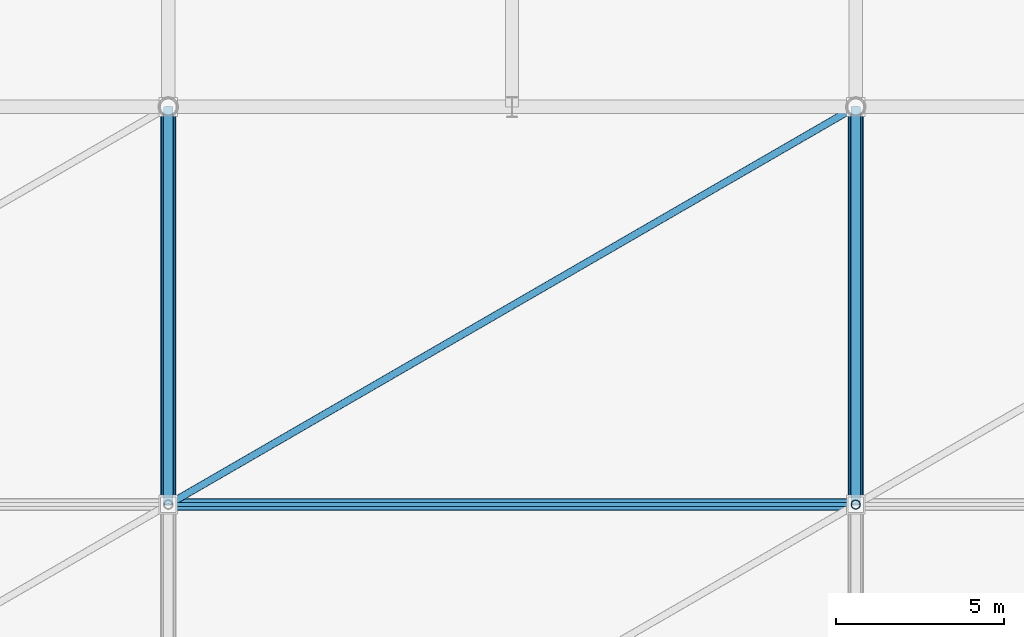
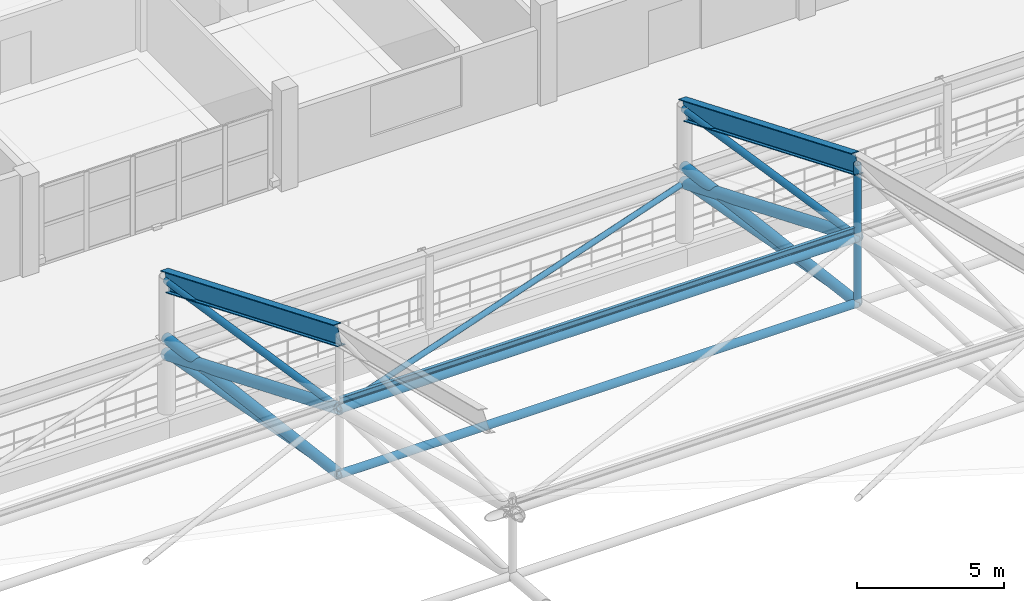
# One storey, part 30 of 135: 14 members, 2 beams.
"""IFC4 building model written with IfcOpenShell, lengths in metres."""

import ifcopenshell
import ifcopenshell.guid

model = None  # the IFC model being written
_history = None  # IfcOwnerHistory: only IFC2X3 demands one
_inside = {}  # id of a spatial element -> (the spatial element, [elements in it])
_under = {}  # id of a project, library or spatial element -> (it, [spatial elements below it])
_declared = {}  # id of a project -> (the project, [libraries it declares])
_typed = {}  # id of a type object -> (the type object, [elements of that type])
_made_of = {}  # id of a material, layer set ... -> (it, [elements and type objects made of it])


def new_model(schema):
    """Start an empty IFC model of exactly this schema.

    Asked for "IFC4X3", IfcOpenShell would pick the latest addendum, in which some entities
    have other attributes; the version numbers below select the first issue.
    IFC2X3 requires an IfcOwnerHistory on every rooted entity: one is made here for all.
    """
    global model, _history
    if schema == "IFC4X3":
        model = ifcopenshell.file(schema_version=(4, 3, 0, 0))
    else:
        model = ifcopenshell.file(schema=schema)
    _inside.clear()
    _under.clear()
    _declared.clear()
    _typed.clear()
    _made_of.clear()
    _history = None
    if model.schema == "IFC2X3":
        org = make("IfcOrganization", Name="unknown")
        user = make(
            "IfcPersonAndOrganization",
            ThePerson=make("IfcPerson", FamilyName="unknown"),
            TheOrganization=org,
        )
        app = make(
            "IfcApplication",
            ApplicationDeveloper=org,
            Version="unknown",
            ApplicationFullName="unknown",
            ApplicationIdentifier="unknown",
        )
        _history = make(
            "IfcOwnerHistory",
            OwningUser=user,
            OwningApplication=app,
            ChangeAction="ADDED",
            CreationDate=0,
        )
    return model


def make(cls, **values):
    """One entity of the class cls with the attributes given. An attribute that is None is left unset."""
    return model.create_entity(
        cls, **{name: value for name, value in values.items() if value is not None}
    )


def rooted(cls, **values):
    """An entity with a GlobalId (a new one), such as an element, a storey or a relation."""
    return make(cls, GlobalId=ifcopenshell.guid.new(), OwnerHistory=_history, **values)


def si_unit(unit_type, name, prefix=None):
    """IfcSIUnit, for example si_unit("LENGTHUNIT", "METRE", prefix="MILLI")."""
    return make("IfcSIUnit", UnitType=unit_type, Prefix=prefix, Name=name)


def assignment(units):
    """IfcUnitAssignment: the units of a project."""
    return None if units is None else make("IfcUnitAssignment", Units=units)


def point(xyz):
    """IfcCartesianPoint."""
    return None if xyz is None else make("IfcCartesianPoint", Coordinates=xyz)


def direction(xyz):
    """IfcDirection."""
    return None if xyz is None else make("IfcDirection", DirectionRatios=xyz)


def frame(location, z_axis=None, x_axis=None):
    """IfcAxis2Placement3D, a coordinate frame: its origin and axes. An axis left out is left unset."""
    return make(
        "IfcAxis2Placement3D",
        Location=point(location),
        Axis=direction(z_axis),
        RefDirection=direction(x_axis),
    )


def frame_2d(location, x_axis=None):
    """IfcAxis2Placement2D, a coordinate frame in the plane: its origin and x axis."""
    return make(
        "IfcAxis2Placement2D", Location=point(location), RefDirection=direction(x_axis)
    )


def origin():
    """The frame at (0, 0, 0) with its axes left unset."""
    return frame((0.0, 0.0, 0.0))


def origin_2d():
    """The frame at (0, 0) in the plane with its x axis left unset."""
    return frame_2d((0.0, 0.0))


def place(relative_to, where):
    """IfcLocalPlacement: puts the frame where relative to a parent placement (None: the world)."""
    return make(
        "IfcLocalPlacement", PlacementRelTo=relative_to, RelativePlacement=where
    )


def context(
    kind, dimensions, precision=None, world=None, true_north=None, identifier=None
):
    """IfcGeometricRepresentationContext, for example the 3D "Model" context."""
    return make(
        "IfcGeometricRepresentationContext",
        ContextIdentifier=identifier,
        ContextType=kind,
        CoordinateSpaceDimension=dimensions,
        Precision=precision,
        WorldCoordinateSystem=world,
        TrueNorth=true_north,
    )


def subcontext(parent, identifier, kind, view, scale=None):
    """IfcGeometricRepresentationSubContext, for example "Body" below "Model"."""
    return make(
        "IfcGeometricRepresentationSubContext",
        ContextIdentifier=identifier,
        ContextType=kind,
        ParentContext=parent,
        TargetScale=scale,
        TargetView=view,
    )


def project(units=None, contexts=None):
    """IfcProject with its units and contexts."""
    return rooted(
        "IfcProject",
        Name="project",
        RepresentationContexts=contexts,
        UnitsInContext=assignment(units),
    )


def spatial(cls, under=None, at=None, **own):
    """A site, building, storey or space (cls), placed at a placement, below another one or the project."""
    s = rooted(cls, ObjectPlacement=at, **own)
    if under is not None:
        _under.setdefault(under.id(), (under, []))[1].append(s)
    return s


def profile(cls, at=None, kind="AREA", **sizes):
    """A parametric profile (cls). Its sizes go by their IFC names, for example OverallWidth=200.0."""
    return make(cls, ProfileType=kind, Position=at, **sizes)


def hollow_circle(**sizes):
    """IfcCircleHollowProfileDef."""
    return profile("IfcCircleHollowProfileDef", **sizes)


def i_section(**sizes):
    """IfcIShapeProfileDef."""
    return profile("IfcIShapeProfileDef", **sizes)


def extrude(swept, where, along, depth):
    """IfcExtrudedAreaSolid: the profile swept, set in the frame where, extruded along a direction by depth."""
    return make(
        "IfcExtrudedAreaSolid",
        SweptArea=swept,
        Position=where,
        ExtrudedDirection=direction(along),
        Depth=depth,
    )


def shape(context_of_items, identifier, shape_type, items):
    """IfcShapeRepresentation: the items that make up one representation, for example the "Body"."""
    return make(
        "IfcShapeRepresentation",
        ContextOfItems=context_of_items,
        RepresentationIdentifier=identifier,
        RepresentationType=shape_type,
        Items=items,
    )


def material(Name=None, Category=None):
    """IfcMaterial."""
    return make("IfcMaterial", Name=Name, Category=Category)


def material_profile(
    of_material, cross_section, Name=None, Category=None, Priority=None
):
    """IfcMaterialProfile: a cross section and its material."""
    return make(
        "IfcMaterialProfile",
        Name=Name,
        Material=of_material,
        Profile=cross_section,
        Priority=Priority,
        Category=Category,
    )


def profile_set(profiles, Name=None, composite=None):
    """IfcMaterialProfileSet."""
    return make(
        "IfcMaterialProfileSet",
        Name=Name,
        MaterialProfiles=profiles,
        CompositeProfile=composite,
    )


def made_of(thing, what):
    """Note that an element or type object is made of a material, layer set ...; save() writes the relation."""
    if what is not None:
        _made_of.setdefault(what.id(), (what, []))[1].append(thing)
    return thing


def type_object(cls, material=None, **own):
    """A type object (cls), such as IfcWallType, which elements share."""
    return made_of(rooted(cls, **own), material)


def element(
    cls,
    number,
    at=None,
    inside=None,
    cuts=None,
    type_object=None,
    material=None,
    context=None,
    identifier="Body",
    shape_type=None,
    held_by="IfcProductDefinitionShape",
    body=None,
    shapes=None,
    **own,
):
    """One element of the class cls, such as IfcWall. Its Tag is "e" and its number.

    at: its placement. inside: the storey or other place that contains it. cuts: it is an
    opening in that element (IfcRelVoidsElement). A single representation is given by context,
    identifier, shape_type and body (its items); several are given by shapes. held_by: the class
    of the entity that holds the representations. save() writes the other relations.
    """
    e = rooted(cls, Tag="e%d" % number, ObjectPlacement=at, **own)
    if body is not None:
        shapes = [shape(context, identifier, shape_type, body)]
    if shapes is not None:
        e.Representation = make(held_by, Representations=shapes)
    if inside is not None:
        _inside.setdefault(inside.id(), (inside, []))[1].append(e)
    if cuts is not None:
        rooted(
            "IfcRelVoidsElement", RelatingBuildingElement=cuts, RelatedOpeningElement=e
        )
    if type_object is not None:
        _typed.setdefault(type_object.id(), (type_object, []))[1].append(e)
    return made_of(e, material)


def aggregate(whole, parts):
    """IfcRelAggregates: a whole, such as a stair, and the parts it consists of."""
    return rooted("IfcRelAggregates", RelatingObject=whole, RelatedObjects=parts)


def save(model, path):
    """Write the relations noted so far, then the file.

    IfcRelAggregates (storeys below a building ...), IfcRelContainedInSpatialStructure (elements
    in a storey), IfcRelDefinesByType, IfcRelAssociatesMaterial and IfcRelDeclares: one each for
    every whole, place, type object, material and project.
    """
    for whole, parts in _under.values():
        aggregate(whole, parts)
    for where, things in _inside.values():
        rooted(
            "IfcRelContainedInSpatialStructure",
            RelatedElements=things,
            RelatingStructure=where,
        )
    for kind, things in _typed.values():
        rooted("IfcRelDefinesByType", RelatedObjects=things, RelatingType=kind)
    for what, things in _made_of.values():
        rooted("IfcRelAssociatesMaterial", RelatedObjects=things, RelatingMaterial=what)
    for by, libraries in _declared.values():
        rooted("IfcRelDeclares", RelatingContext=by, RelatedDefinitions=libraries)
    model.write(path)


model = new_model("IFC4")

# Units and contexts
model_context = context("Model", 3, precision=1e-05, world=origin(), true_north=direction((0.0, 1.0)))
body_context = subcontext(model_context, "Body", "Model", "MODEL_VIEW")
ifc_project = project(units=[si_unit("LENGTHUNIT", "METRE"), si_unit("AREAUNIT", "SQUARE_METRE"), si_unit("VOLUMEUNIT", "CUBIC_METRE"), si_unit("PLANEANGLEUNIT", "RADIAN"), si_unit("MASSUNIT", "GRAM", prefix="KILO")], contexts=[model_context])

# Site, building, storey
site_placement = place(None, origin())
site = spatial("IfcSite", under=ifc_project, at=site_placement, CompositionType="ELEMENT")
building_placement = place(site_placement, origin())
building = spatial("IfcBuilding", under=site, at=building_placement, Name="Brelvane Convention Centre", CompositionType="ELEMENT")
storey_placement = place(building_placement, frame((0.0, 0.0, 15.0)))
storey = spatial("IfcBuildingStorey", under=building, at=storey_placement, Name="L03", CompositionType="ELEMENT", Elevation=15.0)

# Beams
ifc_material_1 = material(Name="Steel E450 (450 MPa)", Category="steel")
ifc_material_profile_1 = material_profile(ifc_material_1, i_section(OverallWidth=0.300048828125, OverallDepth=0.800048828125, WebThickness=0.015380859375, FlangeThickness=0.030029296875, FilletRadius=0.027099609375, at=origin_2d()), Name="NPB 800x300")
ifc_profile_set_1 = profile_set([ifc_material_profile_1], Name="Steel E450 (450 MPa)")
beam_type = type_object("IfcBeamType", Name="Steel Beam B-ST2 (NPB 800x300)", PredefinedType="BEAM", material=ifc_profile_set_1)
for number, where, z_axis, x_axis, name in (
    (1, (40.800048828125, 87.800048828125, 10.288818359375), (0.0, 0.923846983903, -0.382762002207), (-1.0, 0.0, 0.0), "EXO_EXH Exoskeletal Arch Girder 3.6"),
    (2, (61.199951171875, 87.800048828125, 10.288818359375), (0.0, 0.923846983903, -0.382762002207), (-1.0, 0.0, 0.0), "EXO_EXH Exoskeletal Arch Girder 4.6"),
):
    element("IfcBeam", number, at=place(storey_placement, frame(where, z_axis=z_axis, x_axis=x_axis)), inside=storey, type_object=beam_type, Name=name, PredefinedType="BEAM", context=body_context, shape_type="SweptSolid", body=[
        extrude(i_section(OverallWidth=0.300048828125, OverallDepth=0.800048828125, WebThickness=0.015380859375, FlangeThickness=0.030029296875, FilletRadius=0.027099609375, at=origin_2d()), origin(), (0.0, 0.0, 1.0), 12.772705078125),
    ])

# Members
ifc_material_2 = material(Name="Steel E350 (350 MPa)", Category="steel")
ifc_material_profile_2 = material_profile(ifc_material_2, hollow_circle(Radius=0.136474609375, WallThickness=0.012451171875, at=origin_2d()), Name="CHS 273.0x12.5")
ifc_profile_set_2 = profile_set([ifc_material_profile_2], Name="Steel E350 (350 MPa)")
member_type_1 = type_object("IfcMemberType", Name="Steel Brace SF-DG1 (CHS 273.0x12.5)", PredefinedType="BRACE", material=ifc_profile_set_2)
for number, where, z_axis, x_axis, name in (
    (3, (40.800048828125, 87.800048828125, 4.489013671875), (0.0, 0.983819064294, -0.179164864666), (-1.0, 0.0, 0.0), "SF_EXH Space-Frame Web Diagonal D3.6"),
    (4, (61.199951171875, 87.800048828125, 4.489013671875), (0.0, 0.983819064294, -0.179164864666), (-1.0, 0.0, 0.0), "SF_EXH Space-Frame Web Diagonal D4.6"),
):
    element("IfcMember", number, at=place(storey_placement, frame(where, z_axis=z_axis, x_axis=x_axis)), inside=storey, type_object=member_type_1, Name=name, PredefinedType="BRACE", context=body_context, shape_type="SweptSolid", body=[
        extrude(hollow_circle(Radius=0.136474609375, WallThickness=0.012451171875, at=origin_2d()), origin(), (0.0, 0.0, 1.0), 11.994140625),
    ])
for number, where, z_axis, x_axis, name in (
    (5, (40.800048828125, 87.800048828125, 7.22900390625), (0.0, 0.988198514394, -0.153178641298), (-1.0, 0.0, 0.0), "EXO_EXH Exoskeletal Arch Web 3.6"),
    (6, (61.199951171875, 87.800048828125, 7.22900390625), (0.0, 0.988198514394, -0.153178641298), (-1.0, 0.0, 0.0), "EXO_EXH Exoskeletal Arch Web 4.6"),
):
    element("IfcMember", number, at=place(storey_placement, frame(where, z_axis=z_axis, x_axis=x_axis)), inside=storey, type_object=member_type_1, Name=name, PredefinedType="BRACE", context=body_context, shape_type="SweptSolid", body=[
        extrude(hollow_circle(Radius=0.136474609375, WallThickness=0.012451171875, at=origin_2d()), origin(), (0.0, 0.0, 1.0), 11.94091796875),
    ])
ifc_material_3 = material(Name="Steel E350 (350 MPa)", Category="steel")
ifc_material_profile_3 = material_profile(ifc_material_3, hollow_circle(Radius=0.109619140625, WallThickness=0.010009765625, at=origin_2d()), Name="CHS 219.1x10.0")
ifc_profile_set_3 = profile_set([ifc_material_profile_3], Name="Steel E350 (350 MPa)")
member_type_2 = type_object("IfcMemberType", Name="Steel Brace SF-DG2 (CHS 219.1x10.0)", PredefinedType="BRACE", material=ifc_profile_set_3)
member_1_placement = place(storey_placement, frame((40.800048828125, 87.800048828125, 7.22900390625), z_axis=(0.847572434082, 0.490266862018, -0.203124033516), x_axis=(-0.500705052683, 0.865617958581, 0.0)))
element("IfcMember", 7, at=member_1_placement, inside=storey, type_object=member_type_2, Name="SF_EXH Roof Diaphragm Brace PB3.6", PredefinedType="BRACE", context=body_context, shape_type="SweptSolid", body=[
    extrude(hollow_circle(Radius=0.109619140625, WallThickness=0.010009765625, at=origin_2d()), origin(), (0.0, 0.0, 1.0), 24.068603515625),
])
ifc_material_4 = material(Name="Steel E450 (450 MPa)", Category="steel")
ifc_material_profile_4 = material_profile(ifc_material_4, hollow_circle(Radius=0.203125, WallThickness=0.01611328125, at=origin_2d()), Name="CHS 406.4x16.0")
ifc_profile_set_4 = profile_set([ifc_material_profile_4], Name="Steel E450 (450 MPa)")
member_type_3 = type_object("IfcMemberType", Name="Steel Chord SF-BC1 (CHS 406.4x16.0)", PredefinedType="CHORD", material=ifc_profile_set_4)
for number, where, z_axis, x_axis, name in (
    (8, (40.800048828125, 87.800048828125, 4.489013671875), (0.0, 0.992132246813, -0.125194268374), (-1.0, 0.0, 0.0), "SF_EXH Space-Frame Bottom Chord B3.6"),
    (9, (61.199951171875, 87.800048828125, 4.489013671875), (0.0, 0.992132246813, -0.125194268374), (-1.0, 0.0, 0.0), "SF_EXH Space-Frame Bottom Chord B4.6"),
):
    element("IfcMember", number, at=place(storey_placement, frame(where, z_axis=z_axis, x_axis=x_axis)), inside=storey, type_object=member_type_3, Name=name, PredefinedType="CHORD", context=body_context, shape_type="SweptSolid", body=[
        extrude(hollow_circle(Radius=0.203125, WallThickness=0.01611328125, at=origin_2d()), origin(), (0.0, 0.0, 1.0), 11.8935546875),
    ])
ifc_material_5 = material(Name="Steel E350 (350 MPa)", Category="steel")
ifc_material_profile_5 = material_profile(ifc_material_5, hollow_circle(Radius=0.161865234375, WallThickness=0.012451171875, at=origin_2d()), Name="CHS 323.9x12.5")
ifc_profile_set_5 = profile_set([ifc_material_profile_5], Name="Steel E350 (350 MPa)")
member_type_4 = type_object("IfcMemberType", Name="Steel Chord SF-BC2 (CHS 323.9x12.5)", PredefinedType="CHORD", material=ifc_profile_set_5)
member_2_placement = place(storey_placement, frame((40.800048828125, 87.800048828125, 4.489013671875), z_axis=(1.0, 0.0, 0.0), x_axis=(0.0, 1.0, 0.0)))
element("IfcMember", 10, at=member_2_placement, inside=storey, type_object=member_type_4, Name="SF_EXH Longitudinal Bottom Chord LB3.6", PredefinedType="CHORD", context=body_context, shape_type="SweptSolid", body=[
    extrude(hollow_circle(Radius=0.161865234375, WallThickness=0.012451171875, at=origin_2d()), origin(), (0.0, 0.0, 1.0), 20.39990234375),
])
ifc_material_6 = material(Name="Steel E450 (450 MPa)", Category="steel")
ifc_material_profile_6 = material_profile(ifc_material_6, hollow_circle(Radius=0.228515625, WallThickness=0.02001953125, at=origin_2d()), Name="CHS 457.0x20.0")
ifc_profile_set_6 = profile_set([ifc_material_profile_6], Name="Steel E450 (450 MPa)")
member_type_5 = type_object("IfcMemberType", Name="Steel Chord SF-TC1 (CHS 457.0x20.0)", PredefinedType="CHORD", material=ifc_profile_set_6)
for number, where, z_axis, x_axis, name in (
    (11, (40.800048828125, 87.800048828125, 7.22900390625), (0.0, 0.923846983903, -0.382762002207), (-1.0, 0.0, 0.0), "SF_EXH Space-Frame Top Chord T3.6"),
    (12, (61.199951171875, 87.800048828125, 7.22900390625), (0.0, 0.923846983903, -0.382762002207), (-1.0, 0.0, 0.0), "SF_EXH Space-Frame Top Chord T4.6"),
):
    element("IfcMember", number, at=place(storey_placement, frame(where, z_axis=z_axis, x_axis=x_axis)), inside=storey, type_object=member_type_5, Name=name, PredefinedType="CHORD", context=body_context, shape_type="SweptSolid", body=[
        extrude(hollow_circle(Radius=0.228515625, WallThickness=0.02001953125, at=origin_2d()), origin(), (0.0, 0.0, 1.0), 12.772705078125),
    ])
ifc_material_7 = material(Name="Steel E450 (450 MPa)", Category="steel")
ifc_material_profile_7 = material_profile(ifc_material_7, hollow_circle(Radius=0.177734375, WallThickness=0.01611328125, at=origin_2d()), Name="CHS 355.6x16.0")
ifc_profile_set_7 = profile_set([ifc_material_profile_7], Name="Steel E450 (450 MPa)")
member_type_6 = type_object("IfcMemberType", Name="Steel Chord SF-TC2 (CHS 355.6x16.0)", PredefinedType="CHORD", material=ifc_profile_set_7)
member_3_placement = place(storey_placement, frame((40.800048828125, 87.800048828125, 7.22900390625), z_axis=(1.0, 0.0, 0.0), x_axis=(0.0, 1.0, 0.0)))
element("IfcMember", 13, at=member_3_placement, inside=storey, type_object=member_type_6, Name="SF_EXH Longitudinal Top Chord LT3.6", PredefinedType="CHORD", context=body_context, shape_type="SweptSolid", body=[
    extrude(hollow_circle(Radius=0.177734375, WallThickness=0.01611328125, at=origin_2d()), origin(), (0.0, 0.0, 1.0), 20.39990234375),
])
ifc_material_8 = material(Name="Steel E350 (350 MPa)", Category="steel")
ifc_material_profile_8 = material_profile(ifc_material_8, i_section(OverallWidth=0.125, OverallDepth=0.25, WebThickness=0.0068359375, FlangeThickness=0.012451171875, FilletRadius=0.012939453125, at=origin_2d()), Name="ISMB 250")
ifc_profile_set_8 = profile_set([ifc_material_profile_8], Name="Steel E350 (350 MPa)")
member_type_7 = type_object("IfcMemberType", Name="Steel Purlin PR-ST1 (ISMB 250)", PredefinedType="PURLIN", material=ifc_profile_set_8)
member_4_placement = place(storey_placement, frame((40.800048828125, 87.800048828125, 7.56396484375), z_axis=(1.0, 0.0, 0.0), x_axis=(0.0, 1.0, 0.0)))
element("IfcMember", 14, at=member_4_placement, inside=storey, type_object=member_type_7, Name="SF_EXH Roof Purlin P3.6", PredefinedType="PURLIN", context=body_context, shape_type="SweptSolid", body=[
    extrude(i_section(OverallWidth=0.125, OverallDepth=0.25, WebThickness=0.0068359375, FlangeThickness=0.012451171875, FilletRadius=0.012939453125, at=origin_2d()), origin(), (0.0, 0.0, 1.0), 20.39990234375),
])
ifc_material_9 = material(Name="Steel E350 (350 MPa)", Category="steel")
ifc_material_profile_9 = material_profile(ifc_material_9, hollow_circle(Radius=0.136474609375, WallThickness=0.012451171875, at=origin_2d()), Name="CHS 273.0x12.5")
ifc_profile_set_9 = profile_set([ifc_material_profile_9], Name="Steel E350 (350 MPa)")
member_type_8 = type_object("IfcMemberType", Name="Steel Strut SF-VT1 (CHS 273.0x12.5)", PredefinedType="STRUT", material=ifc_profile_set_9)
member_5_placement = place(storey_placement, frame((61.199951171875, 87.800048828125, 4.489013671875), z_axis=(0.0, 0.0, 1.0), x_axis=(1.0, 0.0, 0.0)))
element("IfcMember", 15, at=member_5_placement, inside=storey, type_object=member_type_8, Name="SF_EXH Space-Frame Post V4.5", PredefinedType="STRUT", context=body_context, shape_type="SweptSolid", body=[
    extrude(hollow_circle(Radius=0.136474609375, WallThickness=0.012451171875, at=origin_2d()), origin(), (0.0, 0.0, 1.0), 2.739990234375),
])
member_6_placement = place(storey_placement, frame((61.199951171875, 87.800048828125, 7.22900390625), z_axis=(0.0, 0.0, 1.0), x_axis=(1.0, 0.0, 0.0)))
element("IfcMember", 16, at=member_6_placement, inside=storey, type_object=member_type_8, Name="EXO_EXH Roof Suspension Hanger 4.5", PredefinedType="STRUT", context=body_context, shape_type="SweptSolid", body=[
    extrude(hollow_circle(Radius=0.136474609375, WallThickness=0.012451171875, at=origin_2d()), origin(), (0.0, 0.0, 1.0), 3.059814453125),
])

save(model, "model.ifc")
